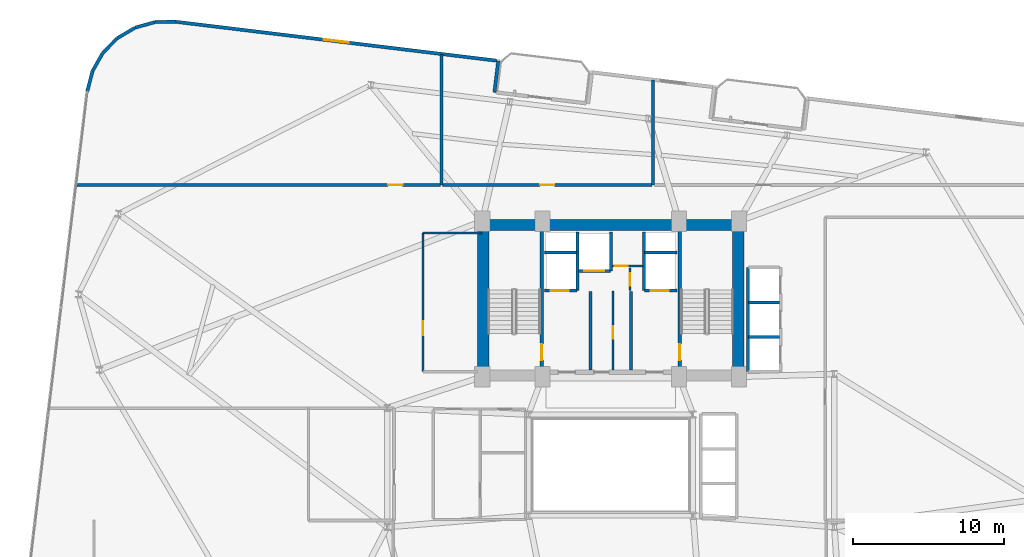
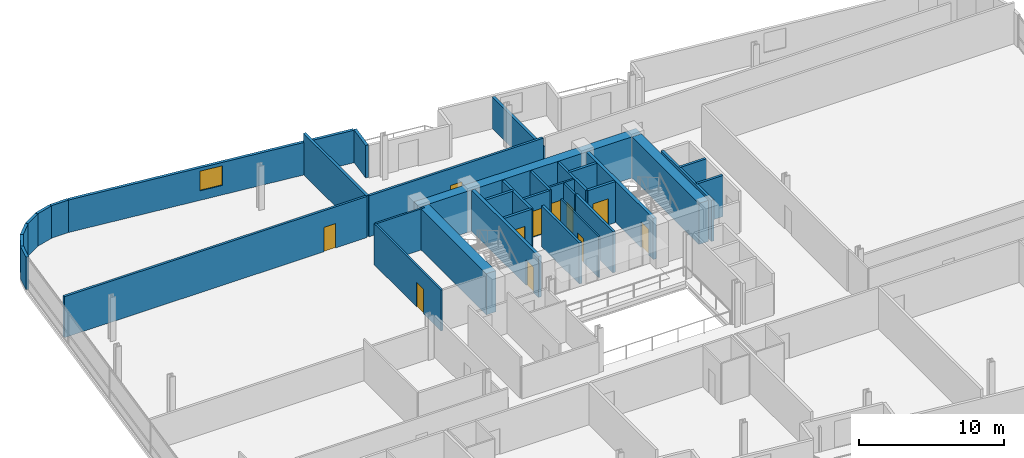
# One storey, part 22 of 25: 35 walls, 11 doors, 1 window, 12 openings.
"""IFC4 building model written with IfcOpenShell, lengths in metres."""

from ifc_helpers import new_model, si_unit, direction, frame, frame_2d, origin, place, context, subcontext, project, spatial, rectangle, extrude, material, layer, layer_set, type_object, element, fill, save


model = new_model("IFC4")

# Units and contexts
model_context = context("Model", 3, precision=1e-05, world=origin(), true_north=direction((0.0, 1.0)))
body_context = subcontext(model_context, "Body", "Model", "MODEL_VIEW")
ifc_project = project(units=[si_unit("LENGTHUNIT", "METRE"), si_unit("AREAUNIT", "SQUARE_METRE"), si_unit("VOLUMEUNIT", "CUBIC_METRE"), si_unit("PLANEANGLEUNIT", "RADIAN"), si_unit("MASSUNIT", "GRAM", prefix="KILO")], contexts=[model_context])

# Site, building, storey
site_placement = place(None, origin())
site = spatial("IfcSite", under=ifc_project, at=site_placement, CompositionType="ELEMENT")
building_placement = place(site_placement, origin())
building = spatial("IfcBuilding", under=site, at=building_placement, Name="Varnelok Gate Tower", CompositionType="ELEMENT")
storey_placement = place(building_placement, frame((0.0, 0.0, 132.800048828125)))
storey = spatial("IfcBuildingStorey", under=building, at=storey_placement, Name="L33", CompositionType="ELEMENT", Elevation=132.800048828125)

# Wall
ifc_material_1 = material(Name="Concrete C45/55", Category="concrete")
ifc_layer_1 = layer(ifc_material_1, 0.219970703125)
ifc_layer_set_1 = layer_set([ifc_layer_1], Name="Concrete C45/55")
wall_type_1 = type_object("IfcWallType", Name="EW-BALC-220", PredefinedType="SOLIDWALL", material=ifc_layer_set_1)
wall_1_placement = place(storey_placement, frame((31.50390625, 47.568115234375, 0.0), z_axis=(0.0, 0.0, 1.0), x_axis=(0.120341784665, 0.992732519294, 0.0)))
element("IfcWall", 1, at=wall_1_placement, inside=storey, type_object=wall_type_1, Name="L33 Perimeter Facade Closure Wall 31", PredefinedType="SOLIDWALL", context=body_context, shape_type="SweptSolid", body=[
    extrude(rectangle(XDim=2.099853515625, YDim=0.219970703125, at=frame_2d((1.0498046875, 0.0))), origin(), (0.0, 0.0, 1.0), 2.72998046875),
])

# Wall, opening, window
wall_2_placement = place(storey_placement, frame((31.632568359375, 49.667724609375, 0.0), z_axis=(0.0, 0.0, 1.0), x_axis=(-0.992731670483, 0.120348786531, 0.0)))
wall_2 = element("IfcWall", 2, at=wall_2_placement, inside=storey, type_object=wall_type_1, Name="L33 Perimeter Facade Closure Wall 32", PredefinedType="SOLIDWALL", context=body_context, shape_type="SweptSolid", body=[
    extrude(rectangle(XDim=21.34716796875, YDim=0.219970703125, at=frame_2d((10.673583984375, 0.0))), origin(), (0.0, 0.0, 1.0), 2.72998046875),
])
opening_1_placement = place(wall_2_placement, frame((9.8486328125, 0.0, 0.800048828125)))
opening_1 = element("IfcOpeningElement", 3, at=opening_1_placement, cuts=wall_2, Name="Opening WN3", PredefinedType="OPENING", context=body_context, shape_type="SweptSolid", body=[
    extrude(rectangle(XDim=1.64990234375, YDim=1.64990234375, at=frame_2d((0.824951171875, 0.824951171875))), frame((0.0, 0.119873046875, 0.0), z_axis=(0.0, -1.0, 0.0), x_axis=(1.0, 0.0, 0.0)), (0.0, 0.0, 1.0), 0.239990234375),
])
ifc_material_2 = material(Name="Low-E Laminated Double Glazing IGU", Category="glass")
window_type = type_object("IfcWindowType", Name="WN-HTL-1650", PartitioningType="SINGLE_PANEL", PredefinedType="WINDOW", material=ifc_material_2)
window_placement = place(opening_1_placement, origin())
window = element("IfcWindow", 4, at=window_placement, inside=storey, type_object=window_type, Name="L33 Perimeter Vision Window 32", OverallHeight=1.64990234375, OverallWidth=1.64990234375, PartitioningType="SINGLE_PANEL", PredefinedType="WINDOW", context=body_context, shape_type="SweptSolid", body=[
    extrude(rectangle(XDim=1.64990234375, YDim=1.64990234375, at=frame_2d((0.824951171875, 0.824951171875))), frame((0.0, 0.030029296875, 0.0), z_axis=(0.0, -1.0, 0.0), x_axis=(1.0, 0.0, 0.0)), (0.0, 0.0, 1.0), 0.06005859375),
])
fill(opening_1, window)

# Walls
wall_3_placement = place(storey_placement, frame((10.41552734375, 52.236572265625, 0.0), z_axis=(0.0, 0.0, 1.0), x_axis=(-0.999947718056, -0.010225514878, 0.0)))
element("IfcWall", 5, at=wall_3_placement, inside=storey, type_object=wall_type_1, Name="L33 Perimeter Facade Closure Wall 33", PredefinedType="SOLIDWALL", context=body_context, shape_type="SweptSolid", body=[
    extrude(rectangle(XDim=1.36083984375, YDim=0.219970703125, at=frame_2d((0.680419921875, 0.0))), origin(), (0.0, 0.0, 1.0), 2.72998046875),
])
for number, where, z_axis, x_axis, name in (
    (6, (9.030517578125, 52.2158203125, 0.0), (0.0, 0.0, 1.0), (-0.963227802828, -0.268686061898, 0.0), "L33 Perimeter Facade Closure Wall 34"),
    (7, (7.70556640625, 51.839599609375, 0.0), (0.0, 0.0, 1.0), (-0.860739665837, -0.509045408244, 0.0), "L33 Perimeter Facade Closure Wall 35"),
):
    element("IfcWall", number, at=place(storey_placement, frame(where, z_axis=z_axis, x_axis=x_axis)), inside=storey, type_object=wall_type_1, Name=name, PredefinedType="SOLIDWALL", context=body_context, shape_type="SweptSolid", body=[
        extrude(rectangle(XDim=1.35302734375, YDim=0.219970703125, at=frame_2d((0.676513671875, 0.0))), origin(), (0.0, 0.0, 1.0), 2.72998046875),
    ])
wall_4_placement = place(storey_placement, frame((6.5234375, 51.13330078125, 0.0), z_axis=(0.0, 0.0, 1.0), x_axis=(-0.699762925925, -0.714375144795, 0.0)))
element("IfcWall", 8, at=wall_4_placement, inside=storey, type_object=wall_type_1, Name="L33 Perimeter Facade Closure Wall 36", PredefinedType="SOLIDWALL", context=body_context, shape_type="SweptSolid", body=[
    extrude(rectangle(XDim=1.353271484375, YDim=0.219970703125, at=frame_2d((0.6767578125, 0.0))), origin(), (0.0, 0.0, 1.0), 2.72998046875),
])
wall_5_placement = place(storey_placement, frame((5.564208984375, 50.144775390625, 0.0), z_axis=(0.0, 0.0, 1.0), x_axis=(-0.491117621399, -0.871093268227, 0.0)))
element("IfcWall", 9, at=wall_5_placement, inside=storey, type_object=wall_type_1, Name="L33 Perimeter Facade Closure Wall 37", PredefinedType="SOLIDWALL", context=body_context, shape_type="SweptSolid", body=[
    extrude(rectangle(XDim=1.35302734375, YDim=0.219970703125, at=frame_2d((0.676513671875, 0.0))), origin(), (0.0, 0.0, 1.0), 2.72998046875),
])
wall_6_placement = place(storey_placement, frame((4.8935546875, 48.94189453125, 0.0), z_axis=(0.0, 0.0, 1.0), x_axis=(-0.248857256909, -0.968540172468, 0.0)))
element("IfcWall", 10, at=wall_6_placement, inside=storey, type_object=wall_type_1, Name="L33 Perimeter Facade Closure Wall 38", PredefinedType="SOLIDWALL", context=body_context, shape_type="SweptSolid", body=[
    extrude(rectangle(XDim=1.352783203125, YDim=0.219970703125, at=frame_2d((0.67626953125, 0.0))), origin(), (0.0, 0.0, 1.0), 2.72998046875),
])

# Wall, opening, door
ifc_material_3 = material(Name="Gypsum Plasterboard Acoustic Partition", Category="gypsum")
ifc_layer_2 = layer(ifc_material_3, 0.179931640625)
ifc_layer_set_2 = layer_set([ifc_layer_2], Name="Gypsum Plasterboard Acoustic Partition")
wall_type_2 = type_object("IfcWallType", Name="PW-CORR-180", PredefinedType="PARTITIONING", material=ifc_layer_set_2)
wall_7_placement = place(storey_placement, frame((3.864013671875, 41.429931640625, 0.0), z_axis=(0.0, 0.0, 1.0), x_axis=(1.0, 0.0, 0.0)))
wall_7 = element("IfcWall", 11, at=wall_7_placement, inside=storey, type_object=wall_type_2, Name="Interior Partition", PredefinedType="PARTITIONING", context=body_context, shape_type="SweptSolid", body=[
    extrude(rectangle(XDim=24.055908203125, YDim=0.179931640625, at=frame_2d((12.02783203125, 0.0))), origin(), (0.0, 0.0, 1.0), 3.449951171875),
])
opening_2_placement = place(wall_7_placement, frame((20.61083984375, 0.0, 0.0)))
opening_2 = element("IfcOpeningElement", 12, at=opening_2_placement, cuts=wall_7, Name="Opening D-I2", PredefinedType="OPENING", context=body_context, shape_type="SweptSolid", body=[
    extrude(rectangle(XDim=0.949951171875, YDim=2.050048828125, at=frame_2d((0.47509765625, 1.02490234375))), frame((0.0, 0.099853515625, 0.0), z_axis=(0.0, -1.0, 0.0), x_axis=(1.0, 0.0, 0.0)), (0.0, 0.0, 1.0), 0.199951171875),
])
ifc_material_4 = material(Name="Engineered Hardwood Timber", Category="wood")
door_type_1 = type_object("IfcDoorType", Name="DR-INT-950", OperationType="NOTDEFINED", PredefinedType="DOOR", material=ifc_material_4)
door_1_placement = place(opening_2_placement, origin())
door_1 = element("IfcDoor", 13, at=door_1_placement, inside=storey, type_object=door_type_1, Name="L33 Executive Business Office 1 Door", OperationType="SINGLE_SWING_LEFT", OverallHeight=2.050048828125, OverallWidth=0.949951171875, PredefinedType="DOOR", context=body_context, shape_type="SweptSolid", body=[
    extrude(rectangle(XDim=0.949951171875, YDim=2.050048828125, at=frame_2d((0.47509765625, 1.02490234375))), frame((0.0, 0.02490234375, 0.0), z_axis=(0.0, -1.0, 0.0), x_axis=(1.0, 0.0, 0.0)), (0.0, 0.0, 1.0), 0.050048828125),
])
fill(opening_2, door_1)

wall_8_placement = place(storey_placement, frame((28.080078125, 41.429931640625, 0.0), z_axis=(0.0, 0.0, 1.0), x_axis=(1.0, 0.0, 0.0)))
wall_8 = element("IfcWall", 14, at=wall_8_placement, inside=storey, type_object=wall_type_2, Name="Interior Partition", PredefinedType="PARTITIONING", context=body_context, shape_type="SweptSolid", body=[
    extrude(rectangle(XDim=13.83984375, YDim=0.179931640625, at=frame_2d((6.919921875, 0.0))), origin(), (0.0, 0.0, 1.0), 3.449951171875),
])
opening_3_placement = place(wall_8_placement, frame((6.445068359375, 0.0, 0.0)))
opening_3 = element("IfcOpeningElement", 15, at=opening_3_placement, cuts=wall_8, Name="Opening D-I2", PredefinedType="OPENING", context=body_context, shape_type="SweptSolid", body=[
    extrude(rectangle(XDim=0.949951171875, YDim=2.050048828125, at=frame_2d((0.47509765625, 1.02490234375))), frame((0.0, 0.099853515625, 0.0), z_axis=(0.0, -1.0, 0.0), x_axis=(1.0, 0.0, 0.0)), (0.0, 0.0, 1.0), 0.199951171875),
])
door_2_placement = place(opening_3_placement, origin())
door_2 = element("IfcDoor", 16, at=door_2_placement, inside=storey, type_object=door_type_1, Name="L33 Executive Business Office 2 Door", OperationType="SINGLE_SWING_LEFT", OverallHeight=2.050048828125, OverallWidth=0.949951171875, PredefinedType="DOOR", context=body_context, shape_type="SweptSolid", body=[
    extrude(rectangle(XDim=0.949951171875, YDim=2.050048828125, at=frame_2d((0.47509765625, 1.02490234375))), frame((0.0, 0.02490234375, 0.0), z_axis=(0.0, -1.0, 0.0), x_axis=(1.0, 0.0, 0.0)), (0.0, 0.0, 1.0), 0.050048828125),
])
fill(opening_3, door_2)

ifc_layer_3 = layer(ifc_material_3, 0.125)
ifc_layer_set_3 = layer_set([ifc_layer_3], Name="Gypsum Plasterboard Acoustic Partition")
wall_type_3 = type_object("IfcWallType", Name="PW-PART-125", PredefinedType="PARTITIONING", material=ifc_layer_set_3)
wall_9_placement = place(storey_placement, frame((39.35009765625, 29.199951171875, 0.0), z_axis=(0.0, 0.0, 1.0), x_axis=(0.0, 1.0, 0.0)))
wall_9 = element("IfcWall", 17, at=wall_9_placement, inside=storey, type_object=wall_type_3, Name="Interior Partition", PredefinedType="PARTITIONING", context=body_context, shape_type="SweptSolid", body=[
    extrude(rectangle(XDim=5.219970703125, YDim=0.125, at=frame_2d((2.60986328125, 0.0))), origin(), (0.0, 0.0, 1.0), 3.449951171875),
])
opening_4_placement = place(wall_9_placement, frame((2.050048828125, 0.0, 0.0)))
opening_4 = element("IfcOpeningElement", 18, at=opening_4_placement, cuts=wall_9, Name="Opening D-RS", PredefinedType="OPENING", context=body_context, shape_type="SweptSolid", body=[
    extrude(rectangle(XDim=0.85009765625, YDim=2.050048828125, at=frame_2d((0.425048828125, 1.02490234375))), frame((0.0, 0.072509765625, 0.0), z_axis=(0.0, -1.0, 0.0), x_axis=(1.0, 0.0, 0.0)), (0.0, 0.0, 1.0), 0.14501953125),
])
ifc_material_5 = material(Name="Galvanized Steel Grade S350GD", Category="steel")
door_type_2 = type_object("IfcDoorType", Name="DR-RISER-850", OperationType="NOTDEFINED", PredefinedType="DOOR", material=ifc_material_5)
door_3_placement = place(opening_4_placement, origin())
door_3 = element("IfcDoor", 19, at=door_3_placement, inside=storey, type_object=door_type_2, Name="L33 Housekeeping Linen Door", OperationType="SINGLE_SWING_RIGHT", OverallHeight=2.050048828125, OverallWidth=0.85009765625, PredefinedType="DOOR", context=body_context, shape_type="SweptSolid", body=[
    extrude(rectangle(XDim=0.85009765625, YDim=2.050048828125, at=frame_2d((0.425048828125, 1.02490234375))), frame((0.0, 0.02490234375, 0.0), z_axis=(0.0, -1.0, 0.0), x_axis=(1.0, 0.0, 0.0)), (0.0, 0.0, 1.0), 0.050048828125),
])
fill(opening_4, door_3)

ifc_layer_4 = layer(ifc_material_3, 0.14990234375)
ifc_layer_set_4 = layer_set([ifc_layer_4], Name="Gypsum Plasterboard Acoustic Partition")
wall_type_4 = type_object("IfcWallType", Name="PW-PART-150", PredefinedType="PARTITIONING", material=ifc_layer_set_4)
wall_10_placement = place(storey_placement, frame((39.300048828125, 36.080078125, 0.0), z_axis=(0.0, 0.0, 1.0), x_axis=(1.0, 0.0, 0.0)))
wall_10 = element("IfcWall", 20, at=wall_10_placement, inside=storey, type_object=wall_type_4, Name="L33 Electrical Closet South Wall", PredefinedType="PARTITIONING", context=body_context, shape_type="SweptSolid", body=[
    extrude(rectangle(XDim=2.02001953125, YDim=0.14990234375, at=frame_2d((1.010009765625, 0.0))), origin(), (0.0, 0.0, 1.0), 3.449951171875),
])
opening_5_placement = place(wall_10_placement, frame((0.179931640625, 0.0, 0.0)))
opening_5 = element("IfcOpeningElement", 21, at=opening_5_placement, cuts=wall_10, Name="Opening D-RS", PredefinedType="OPENING", context=body_context, shape_type="SweptSolid", body=[
    extrude(rectangle(XDim=0.85009765625, YDim=2.050048828125, at=frame_2d((0.425048828125, 1.02490234375))), frame((0.0, 0.0849609375, 0.0), z_axis=(0.0, -1.0, 0.0), x_axis=(1.0, 0.0, 0.0)), (0.0, 0.0, 1.0), 0.169921875),
])
door_4_placement = place(opening_5_placement, origin())
door_4 = element("IfcDoor", 22, at=door_4_placement, inside=storey, type_object=door_type_2, Name="L33 Electrical Closet Door", OperationType="SINGLE_SWING_RIGHT", OverallHeight=2.050048828125, OverallWidth=0.85009765625, PredefinedType="DOOR", context=body_context, shape_type="SweptSolid", body=[
    extrude(rectangle(XDim=0.85009765625, YDim=2.050048828125, at=frame_2d((0.425048828125, 1.02490234375))), frame((0.0, 0.02490234375, 0.0), z_axis=(0.0, -1.0, 0.0), x_axis=(1.0, 0.0, 0.0)), (0.0, 0.0, 1.0), 0.050048828125),
])
fill(opening_5, door_4)

wall_11_placement = place(storey_placement, frame((40.47998046875, 34.43994140625, 0.0), z_axis=(0.0, 0.0, 1.0), x_axis=(0.0, 1.0, 0.0)))
wall_11 = element("IfcWall", 23, at=wall_11_placement, inside=storey, type_object=wall_type_4, Name="L33 Telecoms Closet West Wall", PredefinedType="PARTITIONING", context=body_context, shape_type="SweptSolid", body=[
    extrude(rectangle(XDim=1.52001953125, YDim=0.14990234375, at=frame_2d((0.760009765625, 0.0))), origin(), (0.0, 0.0, 1.0), 3.449951171875),
])
opening_6_placement = place(wall_11_placement, frame((0.320068359375, 0.0, 0.0)))
opening_6 = element("IfcOpeningElement", 24, at=opening_6_placement, cuts=wall_11, Name="Opening D-RS", PredefinedType="OPENING", context=body_context, shape_type="SweptSolid", body=[
    extrude(rectangle(XDim=0.85009765625, YDim=2.050048828125, at=frame_2d((0.425048828125, 1.02490234375))), frame((0.0, 0.0849609375, 0.0), z_axis=(0.0, -1.0, 0.0), x_axis=(1.0, 0.0, 0.0)), (0.0, 0.0, 1.0), 0.169921875),
])
door_5_placement = place(opening_6_placement, origin())
door_5 = element("IfcDoor", 25, at=door_5_placement, inside=storey, type_object=door_type_2, Name="L33 Telecoms Closet Door", OperationType="SINGLE_SWING_LEFT", OverallHeight=2.050048828125, OverallWidth=0.85009765625, PredefinedType="DOOR", context=body_context, shape_type="SweptSolid", body=[
    extrude(rectangle(XDim=0.85009765625, YDim=2.050048828125, at=frame_2d((0.425048828125, 1.02490234375))), frame((0.0, 0.02490234375, 0.0), z_axis=(0.0, -1.0, 0.0), x_axis=(1.0, 0.0, 0.0)), (0.0, 0.0, 1.0), 0.050048828125),
])
fill(opening_6, door_5)

# Wall
wall_12_placement = place(storey_placement, frame((26.780029296875, 38.260009765625, 0.0), z_axis=(0.0, 0.0, 1.0), x_axis=(1.0, 0.0, 0.0)))
element("IfcWall", 26, at=wall_12_placement, inside=storey, type_object=wall_type_4, Name="Interior Partition", PredefinedType="PARTITIONING", context=body_context, shape_type="SweptSolid", body=[
    extrude(rectangle(XDim=3.89990234375, YDim=0.14990234375, at=frame_2d((1.949951171875, 0.0))), origin(), (0.0, 0.0, 1.0), 3.449951171875),
])

# Wall, opening, door
wall_13_placement = place(storey_placement, frame((26.780029296875, 29.080078125, 0.0), z_axis=(0.0, 0.0, 1.0), x_axis=(0.0, 1.0, 0.0)))
wall_13 = element("IfcWall", 27, at=wall_13_placement, inside=storey, type_object=wall_type_4, Name="Interior Partition", PredefinedType="PARTITIONING", context=body_context, shape_type="SweptSolid", body=[
    extrude(rectangle(XDim=9.179931640625, YDim=0.14990234375, at=frame_2d((4.58984375, 0.0))), origin(), (0.0, 0.0, 1.0), 3.449951171875),
])
opening_7_placement = place(wall_13_placement, frame((2.39990234375, 0.0, 0.0)))
opening_7 = element("IfcOpeningElement", 28, at=opening_7_placement, cuts=wall_13, Name="Opening D-I2", PredefinedType="OPENING", context=body_context, shape_type="SweptSolid", body=[
    extrude(rectangle(XDim=0.949951171875, YDim=2.050048828125, at=frame_2d((0.47509765625, 1.02490234375))), frame((0.0, 0.0849609375, 0.0), z_axis=(0.0, -1.0, 0.0), x_axis=(1.0, 0.0, 0.0)), (0.0, 0.0, 1.0), 0.169921875),
])
door_6_placement = place(opening_7_placement, origin())
door_6 = element("IfcDoor", 29, at=door_6_placement, inside=storey, type_object=door_type_1, Name="L33 Reclaimed Housekeeping Door", OperationType="SINGLE_SWING_RIGHT", OverallHeight=2.050048828125, OverallWidth=0.949951171875, PredefinedType="DOOR", context=body_context, shape_type="SweptSolid", body=[
    extrude(rectangle(XDim=0.949951171875, YDim=2.050048828125, at=frame_2d((0.47509765625, 1.02490234375))), frame((0.0, 0.02490234375, 0.0), z_axis=(0.0, -1.0, 0.0), x_axis=(1.0, 0.0, 0.0)), (0.0, 0.0, 1.0), 0.050048828125),
])
fill(opening_7, door_6)

# Walls
ifc_layer_5 = layer(ifc_material_3, 0.205078125)
ifc_layer_set_5 = layer_set([ifc_layer_5], Name="Gypsum Plasterboard Acoustic Partition")
wall_type_5 = type_object("IfcWallType", Name="PW-PARTY-200", PredefinedType="PARTITIONING", material=ifc_layer_set_5)
wall_14_placement = place(storey_placement, frame((28.0, 41.429931640625, 0.0), z_axis=(0.0, 0.0, 1.0), x_axis=(0.0, 1.0, 0.0)))
element("IfcWall", 30, at=wall_14_placement, inside=storey, type_object=wall_type_5, Name="L33 North Party Wall 1", PredefinedType="PARTITIONING", context=body_context, shape_type="SweptSolid", body=[
    extrude(rectangle(XDim=8.657958984375, YDim=0.205078125, at=frame_2d((4.3291015625, 0.0))), origin(), (0.0, 0.0, 1.0), 3.449951171875),
])
wall_15_placement = place(storey_placement, frame((42.0, 41.429931640625, 0.0), z_axis=(0.0, 0.0, 1.0), x_axis=(0.0, 1.0, 0.0)))
element("IfcWall", 31, at=wall_15_placement, inside=storey, type_object=wall_type_5, Name="L33 North Party Wall 2", PredefinedType="PARTITIONING", context=body_context, shape_type="SweptSolid", body=[
    extrude(rectangle(XDim=6.9609375, YDim=0.205078125, at=frame_2d((3.48046875, 0.0))), origin(), (0.0, 0.0, 1.0), 2.661865234375),
])
ifc_material_6 = material(Name="Concrete C35/45", Category="concrete")
ifc_layer_6 = layer(ifc_material_6, 0.199951171875)
ifc_layer_set_6 = layer_set([ifc_layer_6], Name="Concrete C35/45")
wall_type_6 = type_object("IfcWallType", Name="PW-SHAFT-200", PredefinedType="PARTITIONING", material=ifc_layer_set_6)
for number, where, z_axis, x_axis, name in (
    (32, (37.860107421875, 29.199951171875, 0.0), (0.0, 0.0, 1.0), (0.0, 1.0, 0.0), "L33 West FF Lobby Rated Wall"),
    (33, (40.5400390625, 29.199951171875, 0.0), (0.0, 0.0, 1.0), (0.0, 1.0, 0.0), "L33 East FF Lobby Rated Wall"),
):
    element("IfcWall", number, at=place(storey_placement, frame(where, z_axis=z_axis, x_axis=x_axis)), inside=storey, type_object=wall_type_6, Name=name, PredefinedType="PARTITIONING", context=body_context, shape_type="SweptSolid", body=[
        extrude(rectangle(XDim=5.179931640625, YDim=0.199951171875, at=frame_2d((2.58984375, 0.0))), origin(), (0.0, 0.0, 1.0), 3.449951171875),
    ])

# Wall, opening, door
wall_16_placement = place(storey_placement, frame((34.800048828125, 34.43994140625, 0.0), z_axis=(0.0, 0.0, 1.0), x_axis=(1.0, 0.0, 0.0)))
wall_16 = element("IfcWall", 34, at=wall_16_placement, inside=storey, type_object=wall_type_6, Name="L33 FF1 Shaft Front Wall", PredefinedType="PARTITIONING", context=body_context, shape_type="SweptSolid", body=[
    extrude(rectangle(XDim=2.179931640625, YDim=0.199951171875, at=frame_2d((1.08984375, 0.0))), origin(), (0.0, 0.0, 1.0), 3.449951171875),
])
opening_8_placement = place(wall_16_placement, frame((0.419921875, 0.0, 0.0)))
opening_8 = element("IfcOpeningElement", 35, at=opening_8_placement, cuts=wall_16, Name="Opening LD-FF1", PredefinedType="OPENING", context=body_context, shape_type="SweptSolid", body=[
    extrude(rectangle(XDim=1.199951171875, YDim=2.199951171875, at=frame_2d((0.60009765625, 1.10009765625))), frame((0.0, 0.10986328125, 0.0), z_axis=(0.0, -1.0, 0.0), x_axis=(1.0, 0.0, 0.0)), (0.0, 0.0, 1.0), 0.219970703125),
])
door_type_3 = type_object("IfcDoorType", Name="DR-LIFT-FF1200", OperationType="SLIDING_TO_LEFT", PredefinedType="DOOR", material=ifc_material_5)
door_7_placement = place(opening_8_placement, origin())
door_7 = element("IfcDoor", 36, at=door_7_placement, inside=storey, type_object=door_type_3, Name="L33 Firefighting Lift Landing Door LD-FF1", OperationType="SLIDING_TO_LEFT", OverallHeight=2.199951171875, OverallWidth=1.199951171875, PredefinedType="DOOR", context=body_context, shape_type="SweptSolid", body=[
    extrude(rectangle(XDim=1.199951171875, YDim=2.199951171875, at=frame_2d((0.60009765625, 1.10009765625))), frame((0.0, 0.02490234375, 0.0), z_axis=(0.0, -1.0, 0.0), x_axis=(1.0, 0.0, 0.0)), (0.0, 0.0, 1.0), 0.050048828125),
])
fill(opening_8, door_7)

# Walls
wall_17_placement = place(storey_placement, frame((34.800048828125, 36.97998046875, 0.0), z_axis=(0.0, 0.0, 1.0), x_axis=(1.0, 0.0, 0.0)))
element("IfcWall", 37, at=wall_17_placement, inside=storey, type_object=wall_type_6, Name="L33 FF1 Shaft North Wall", PredefinedType="PARTITIONING", context=body_context, shape_type="SweptSolid", body=[
    extrude(rectangle(XDim=2.179931640625, YDim=0.199951171875, at=frame_2d((1.08984375, 0.0))), origin(), (0.0, 0.0, 1.0), 3.449951171875),
])
wall_18_placement = place(storey_placement, frame((37.0, 34.43994140625, 0.0), z_axis=(0.0, 0.0, 1.0), x_axis=(0.0, 1.0, 0.0)))
element("IfcWall", 38, at=wall_18_placement, inside=storey, type_object=wall_type_6, Name="L33 FF1 Shaft Side Wall", PredefinedType="PARTITIONING", context=body_context, shape_type="SweptSolid", body=[
    extrude(rectangle(XDim=3.900146484375, YDim=0.199951171875, at=frame_2d((1.9501953125, 0.0))), origin(), (0.0, 0.0, 1.0), 3.449951171875),
])

# Wall, opening, door
wall_19_placement = place(storey_placement, frame((41.419921875, 34.43994140625, 0.0), z_axis=(0.0, 0.0, 1.0), x_axis=(1.0, 0.0, 0.0)))
wall_19 = element("IfcWall", 39, at=wall_19_placement, inside=storey, type_object=wall_type_6, Name="L33 FF2 Shaft Front Wall", PredefinedType="PARTITIONING", context=body_context, shape_type="SweptSolid", body=[
    extrude(rectangle(XDim=2.18017578125, YDim=0.199951171875, at=frame_2d((1.090087890625, 0.0))), origin(), (0.0, 0.0, 1.0), 3.449951171875),
])
opening_9_placement = place(wall_19_placement, frame((0.419921875, 0.0, 0.0)))
opening_9 = element("IfcOpeningElement", 40, at=opening_9_placement, cuts=wall_19, Name="Opening LD-FF2", PredefinedType="OPENING", context=body_context, shape_type="SweptSolid", body=[
    extrude(rectangle(XDim=1.199951171875, YDim=2.199951171875, at=frame_2d((0.60009765625, 1.10009765625))), frame((0.0, 0.10986328125, 0.0), z_axis=(0.0, -1.0, 0.0), x_axis=(1.0, 0.0, 0.0)), (0.0, 0.0, 1.0), 0.219970703125),
])
door_8_placement = place(opening_9_placement, origin())
door_8 = element("IfcDoor", 41, at=door_8_placement, inside=storey, type_object=door_type_3, Name="L33 Firefighting Lift Landing Door LD-FF2", OperationType="SLIDING_TO_LEFT", OverallHeight=2.199951171875, OverallWidth=1.199951171875, PredefinedType="DOOR", context=body_context, shape_type="SweptSolid", body=[
    extrude(rectangle(XDim=1.199951171875, YDim=2.199951171875, at=frame_2d((0.60009765625, 1.10009765625))), frame((0.0, 0.02490234375, 0.0), z_axis=(0.0, -1.0, 0.0), x_axis=(1.0, 0.0, 0.0)), (0.0, 0.0, 1.0), 0.050048828125),
])
fill(opening_9, door_8)

# Walls
wall_20_placement = place(storey_placement, frame((41.419921875, 36.97998046875, 0.0), z_axis=(0.0, 0.0, 1.0), x_axis=(1.0, 0.0, 0.0)))
element("IfcWall", 42, at=wall_20_placement, inside=storey, type_object=wall_type_6, Name="L33 FF2 Shaft North Wall", PredefinedType="PARTITIONING", context=body_context, shape_type="SweptSolid", body=[
    extrude(rectangle(XDim=2.18017578125, YDim=0.199951171875, at=frame_2d((1.090087890625, 0.0))), origin(), (0.0, 0.0, 1.0), 3.449951171875),
])
wall_21_placement = place(storey_placement, frame((41.39990234375, 34.43994140625, 0.0), z_axis=(0.0, 0.0, 1.0), x_axis=(0.0, 1.0, 0.0)))
element("IfcWall", 43, at=wall_21_placement, inside=storey, type_object=wall_type_6, Name="L33 FF2 Shaft Side Wall", PredefinedType="PARTITIONING", context=body_context, shape_type="SweptSolid", body=[
    extrude(rectangle(XDim=3.900146484375, YDim=0.199951171875, at=frame_2d((1.9501953125, 0.0))), origin(), (0.0, 0.0, 1.0), 3.449951171875),
])

# Wall, opening, door
wall_22_placement = place(storey_placement, frame((37.06005859375, 35.75, 0.0), z_axis=(0.0, 0.0, 1.0), x_axis=(1.0, 0.0, 0.0)))
wall_22 = element("IfcWall", 44, at=wall_22_placement, inside=storey, type_object=wall_type_6, Name="L33 SV1 Shaft Front Wall", PredefinedType="PARTITIONING", context=body_context, shape_type="SweptSolid", body=[
    extrude(rectangle(XDim=2.119873046875, YDim=0.199951171875, at=frame_2d((1.06005859375, 0.0))), origin(), (0.0, 0.0, 1.0), 3.449951171875),
])
opening_10_placement = place(wall_22_placement, frame((0.39990234375, 0.0, 0.0)))
opening_10 = element("IfcOpeningElement", 45, at=opening_10_placement, cuts=wall_22, Name="Opening LD-SV1", PredefinedType="OPENING", context=body_context, shape_type="SweptSolid", body=[
    extrude(rectangle(XDim=1.300048828125, YDim=2.199951171875, at=frame_2d((0.64990234375, 1.10009765625))), frame((0.0, 0.10986328125, 0.0), z_axis=(0.0, -1.0, 0.0), x_axis=(1.0, 0.0, 0.0)), (0.0, 0.0, 1.0), 0.219970703125),
])
door_type_4 = type_object("IfcDoorType", Name="DR-LIFT-SV1300", OperationType="SLIDING_TO_LEFT", PredefinedType="DOOR", material=ifc_material_5)
door_9_placement = place(opening_10_placement, origin())
door_9 = element("IfcDoor", 46, at=door_9_placement, inside=storey, type_object=door_type_4, Name="L33 Service Lift Landing Door LD-SV1", OperationType="SLIDING_TO_LEFT", OverallHeight=2.199951171875, OverallWidth=1.300048828125, PredefinedType="DOOR", context=body_context, shape_type="SweptSolid", body=[
    extrude(rectangle(XDim=1.300048828125, YDim=2.199951171875, at=frame_2d((0.64990234375, 1.10009765625))), frame((0.0, 0.02490234375, 0.0), z_axis=(0.0, -1.0, 0.0), x_axis=(1.0, 0.0, 0.0)), (0.0, 0.0, 1.0), 0.050048828125),
])
fill(opening_10, door_9)

# Walls
wall_23_placement = place(storey_placement, frame((39.219970703125, 35.75, 0.0), z_axis=(0.0, 0.0, 1.0), x_axis=(0.0, 1.0, 0.0)))
element("IfcWall", 47, at=wall_23_placement, inside=storey, type_object=wall_type_6, Name="L33 SV1 Shaft East Wall", PredefinedType="PARTITIONING", context=body_context, shape_type="SweptSolid", body=[
    extrude(rectangle(XDim=2.590087890625, YDim=0.199951171875, at=frame_2d((1.294921875, 0.0))), origin(), (0.0, 0.0, 1.0), 3.449951171875),
])
for number, where, z_axis, x_axis, name in (
    (48, (48.320068359375, 31.375, 0.0), (0.0, 0.0, 1.0), (1.0, 0.0, 0.0), "L33 PM1 Divider"),
    (49, (48.320068359375, 33.675048828125, 0.0), (0.0, 0.0, 1.0), (1.0, 0.0, 0.0), "L33 PM2 Divider"),
):
    element("IfcWall", number, at=place(storey_placement, frame(where, z_axis=z_axis, x_axis=x_axis)), inside=storey, type_object=wall_type_6, Name=name, PredefinedType="PARTITIONING", context=body_context, shape_type="SweptSolid", body=[
        extrude(rectangle(XDim=2.059814453125, YDim=0.199951171875, at=frame_2d((1.02978515625, 0.0))), origin(), (0.0, 0.0, 1.0), 3.449951171875),
    ])
wall_24_placement = place(storey_placement, frame((48.280029296875, 29.080078125, 0.0), z_axis=(0.0, 0.0, 1.0), x_axis=(0.0, 1.0, 0.0)))
element("IfcWall", 50, at=wall_24_placement, inside=storey, type_object=wall_type_6, Name="L33 PM Bank Back Wall", PredefinedType="PARTITIONING", context=body_context, shape_type="SweptSolid", body=[
    extrude(rectangle(XDim=6.889892578125, YDim=0.199951171875, at=frame_2d((3.44482421875, 0.0))), origin(), (0.0, 0.0, 1.0), 3.449951171875),
])
ifc_material_7 = material(Name="Concrete C70/85", Category="concrete")
ifc_layer_7 = layer(ifc_material_7, 0.75)
ifc_layer_set_7 = layer_set([ifc_layer_7], Name="Concrete C70/85")
wall_type_7 = type_object("IfcWallType", Name="SW-CORE-750", PredefinedType="SHEAR", material=ifc_layer_set_7)
wall_25_placement = place(storey_placement, frame((30.3798828125, 38.794921875, 0.0), z_axis=(0.0, 0.0, 1.0), x_axis=(1.0, 0.0, 0.0)))
element("IfcWall", 51, at=wall_25_placement, inside=storey, type_object=wall_type_7, Name="L33 Rear Core North Shear Wall", PredefinedType="SHEAR", context=body_context, shape_type="SweptSolid", body=[
    extrude(rectangle(XDim=17.64013671875, YDim=0.75, at=frame_2d((8.820068359375, 0.0))), origin(), (0.0, 0.0, 1.0), 3.449951171875),
])
for number, where, z_axis, x_axis, name in (
    (52, (30.7548828125, 29.199951171875, 0.0), (0.0, 0.0, 1.0), (0.0, 1.0, 0.0), "L33 Rear Core West Shear Wall"),
    (53, (47.64501953125, 29.199951171875, 0.0), (0.0, 0.0, 1.0), (0.0, 1.0, 0.0), "L33 Rear Core East Shear Wall"),
):
    element("IfcWall", number, at=place(storey_placement, frame(where, z_axis=z_axis, x_axis=x_axis)), inside=storey, type_object=wall_type_7, Name=name, PredefinedType="SHEAR", context=body_context, shape_type="SweptSolid", body=[
        extrude(rectangle(XDim=9.219970703125, YDim=0.75, at=frame_2d((4.60986328125, 0.0))), origin(), (0.0, 0.0, 1.0), 3.449951171875),
    ])

# Wall, opening, door
ifc_material_8 = material(Name="Concrete C60/75", Category="concrete")
ifc_layer_8 = layer(ifc_material_8, 0.25)
ifc_layer_set_8 = layer_set([ifc_layer_8], Name="Concrete C60/75")
wall_type_8 = type_object("IfcWallType", Name="SW-SHAFT-250", PredefinedType="SHEAR", material=ifc_layer_set_8)
wall_26_placement = place(storey_placement, frame((34.639892578125, 29.199951171875, 0.0), z_axis=(0.0, 0.0, 1.0), x_axis=(0.0, 1.0, 0.0)))
wall_26 = element("IfcWall", 54, at=wall_26_placement, inside=storey, type_object=wall_type_8, Name="L33 Stair ST-1 East Shear Wall", PredefinedType="SHEAR", context=body_context, shape_type="SweptSolid", body=[
    extrude(rectangle(XDim=9.219970703125, YDim=0.25, at=frame_2d((4.60986328125, 0.0))), origin(), (0.0, 0.0, 1.0), 3.449951171875),
])
opening_11_placement = place(wall_26_placement, frame((0.64990234375, 0.0, 0.0)))
opening_11 = element("IfcOpeningElement", 55, at=opening_11_placement, cuts=wall_26, Name="Opening D-ST", PredefinedType="OPENING", context=body_context, shape_type="SweptSolid", body=[
    extrude(rectangle(XDim=1.050048828125, YDim=2.14990234375, at=frame_2d((0.52490234375, 1.074951171875))), frame((0.0, 0.135009765625, 0.0), z_axis=(0.0, -1.0, 0.0), x_axis=(1.0, 0.0, 0.0)), (0.0, 0.0, 1.0), 0.27001953125),
])
door_type_5 = type_object("IfcDoorType", Name="DR-STAIR-1050", OperationType="NOTDEFINED", PredefinedType="DOOR", material=ifc_material_5)
door_10_placement = place(opening_11_placement, origin())
door_10 = element("IfcDoor", 56, at=door_10_placement, inside=storey, type_object=door_type_5, Name="L33 Exit Stair ST-1 Fire Door", OperationType="SINGLE_SWING_LEFT", OverallHeight=2.14990234375, OverallWidth=1.050048828125, PredefinedType="DOOR", context=body_context, shape_type="SweptSolid", body=[
    extrude(rectangle(XDim=1.050048828125, YDim=2.14990234375, at=frame_2d((0.52490234375, 1.074951171875))), frame((0.0, 0.02490234375, 0.0), z_axis=(0.0, -1.0, 0.0), x_axis=(1.0, 0.0, 0.0)), (0.0, 0.0, 1.0), 0.050048828125),
])
fill(opening_11, door_10)

wall_27_placement = place(storey_placement, frame((43.760009765625, 29.199951171875, 0.0), z_axis=(0.0, 0.0, 1.0), x_axis=(0.0, 1.0, 0.0)))
wall_27 = element("IfcWall", 57, at=wall_27_placement, inside=storey, type_object=wall_type_8, Name="L33 Stair ST-2 West Shear Wall", PredefinedType="SHEAR", context=body_context, shape_type="SweptSolid", body=[
    extrude(rectangle(XDim=9.219970703125, YDim=0.25, at=frame_2d((4.60986328125, 0.0))), origin(), (0.0, 0.0, 1.0), 3.449951171875),
])
opening_12_placement = place(wall_27_placement, frame((0.64990234375, 0.0, 0.0)))
opening_12 = element("IfcOpeningElement", 58, at=opening_12_placement, cuts=wall_27, Name="Opening D-ST", PredefinedType="OPENING", context=body_context, shape_type="SweptSolid", body=[
    extrude(rectangle(XDim=1.050048828125, YDim=2.14990234375, at=frame_2d((0.52490234375, 1.074951171875))), frame((0.0, 0.135009765625, 0.0), z_axis=(0.0, -1.0, 0.0), x_axis=(1.0, 0.0, 0.0)), (0.0, 0.0, 1.0), 0.27001953125),
])
door_11_placement = place(opening_12_placement, origin())
door_11 = element("IfcDoor", 59, at=door_11_placement, inside=storey, type_object=door_type_5, Name="L33 Exit Stair ST-2 Fire Door", OperationType="SINGLE_SWING_RIGHT", OverallHeight=2.14990234375, OverallWidth=1.050048828125, PredefinedType="DOOR", context=body_context, shape_type="SweptSolid", body=[
    extrude(rectangle(XDim=1.050048828125, YDim=2.14990234375, at=frame_2d((0.52490234375, 1.074951171875))), frame((0.0, 0.02490234375, 0.0), z_axis=(0.0, -1.0, 0.0), x_axis=(1.0, 0.0, 0.0)), (0.0, 0.0, 1.0), 0.050048828125),
])
fill(opening_12, door_11)

save(model, "model.ifc")
